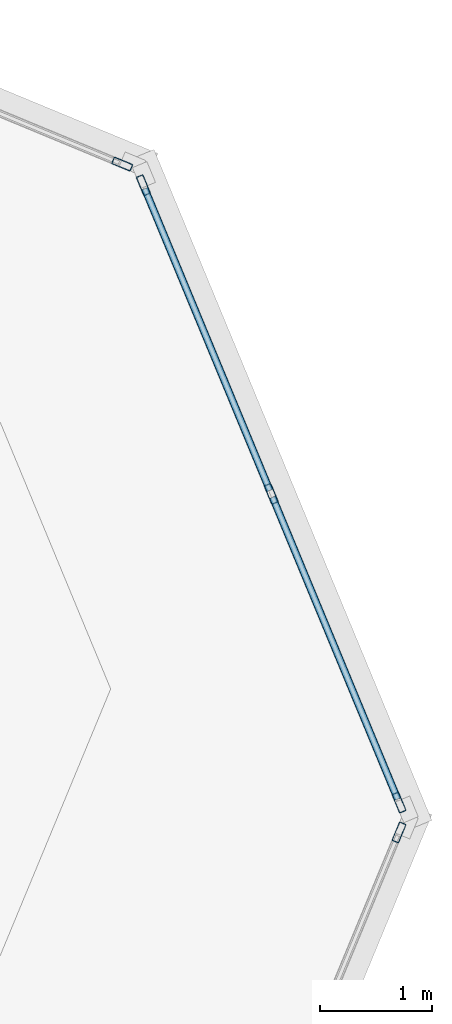
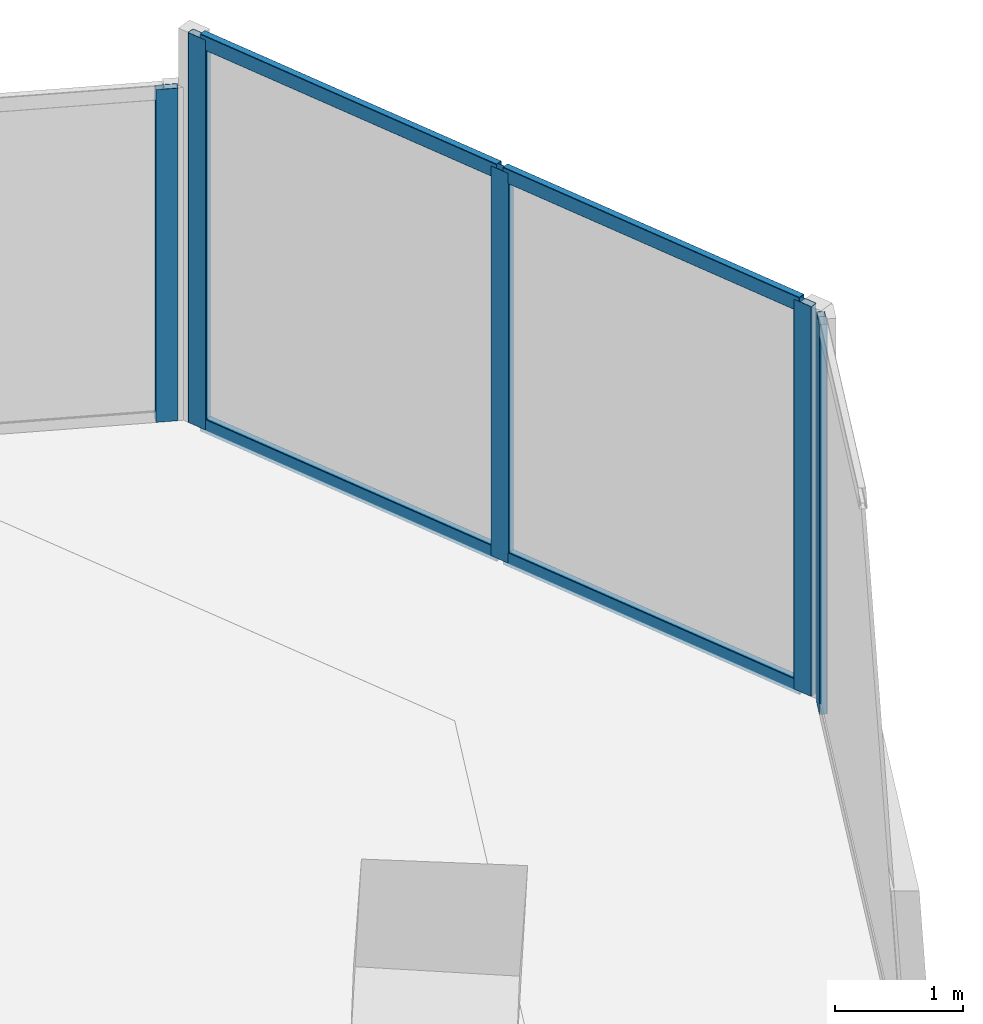
# One storey, part 9 of 22: 9 members, 3 elements without a shape of their own.
"""IFC4 building model written with IfcOpenShell, lengths in metres."""

from ifc_helpers import new_model, si_unit, direction, frame, origin, origin_2d, place, context, subcontext, project, spatial, hollow_rectangle, extrude, source, transform, mapped, material, material_profile, profile_set, type_object, element, aggregate, save


model = new_model("IFC4")

# Units and contexts
model_context = context("Model", 3, precision=1e-05, world=origin(), true_north=direction((0.0, 1.0)))
body_context = subcontext(model_context, "Body", "Model", "MODEL_VIEW")
ifc_project = project(units=[si_unit("LENGTHUNIT", "METRE"), si_unit("AREAUNIT", "SQUARE_METRE"), si_unit("VOLUMEUNIT", "CUBIC_METRE"), si_unit("PLANEANGLEUNIT", "RADIAN"), si_unit("MASSUNIT", "GRAM", prefix="KILO")], contexts=[model_context])

# Site, building, storey
site_placement = place(None, origin())
site = spatial("IfcSite", under=ifc_project, at=site_placement, CompositionType="ELEMENT")
building_placement = place(site_placement, origin())
building = spatial("IfcBuilding", under=site, at=building_placement, Name="Torre Montelarca", CompositionType="ELEMENT")
storey_placement = place(building_placement, frame((0.0, 0.0, 149.800048828125)))
storey = spatial("IfcBuildingStorey", under=building, at=storey_placement, Name="L33", CompositionType="ELEMENT", Elevation=149.800048828125)

# Curtain wall, members
ifc_material_1 = material(Name="Insulated low-E laminated glass", Category="glass")
curtain_wall_type = type_object("IfcCurtainWallType", Name="CW-SYS-Z2", PredefinedType="USERDEFINED", material=ifc_material_1)
curtain_wall_1_placement = place(storey_placement, origin())
curtain_wall_1 = element("IfcCurtainWall", 1, at=curtain_wall_1_placement, inside=storey, type_object=curtain_wall_type, Name="L33 Curtain Wall Run CW-T3-L33-E07-B1", ObjectType="UNITISED GLAZING", PredefinedType="USERDEFINED")
ifc_material_2 = material(Name="Anodised aluminium AA 6063-T6", Category="aluminium")
ifc_material_profile_1 = material_profile(ifc_material_2, hollow_rectangle(XDim=0.06494140625, YDim=0.139892578125, WallThickness=0.00390625, InnerFilletRadius=0.00390625, OuterFilletRadius=0.008056640625, at=origin_2d()), Name="ALU65X140X4", Category="aluminium")
ifc_profile_set_1 = profile_set([ifc_material_profile_1], Name="Anodised aluminium AA 6063-T6")
member_type_1 = type_object("IfcMemberType", Name="CWT-ALU140", PredefinedType="USERDEFINED", material=ifc_profile_set_1)
shared_shape_1 = source(origin(), body_context, "Body", "SweptSolid", [
    extrude(hollow_rectangle(XDim=0.06494140625, YDim=0.139892578125, WallThickness=0.00390625, InnerFilletRadius=0.00390625, OuterFilletRadius=0.008056640625, at=origin_2d()), origin(), (0.0, 0.0, 1.0), 2.918701171875),
])
member_1_placement = place(storey_placement, frame((53.854736328125, 31.33935546875, 0.032470703125), z_axis=(-0.382612831859, 0.923908773038, 0.0), x_axis=(-0.923908773038, -0.382612831859, 0.0)))
member_1 = element("IfcMember", 2, at=member_1_placement, type_object=member_type_1, Name="CW transom 1.1", ObjectType="TRANSOM", PredefinedType="USERDEFINED", context=body_context, shape_type="MappedRepresentation", body=[
    mapped(shared_shape_1, transform((0.0, 0.0, 0.0), scale=1.0)),
])
member_2_placement = place(storey_placement, frame((53.854736328125, 31.33935546875, 3.6875), z_axis=(-0.382612831859, 0.923908773038, 0.0), x_axis=(-0.923908773038, -0.382612831859, 0.0)))
member_2 = element("IfcMember", 3, at=member_2_placement, type_object=member_type_1, Name="CW transom 1.2", ObjectType="TRANSOM", PredefinedType="USERDEFINED", context=body_context, shape_type="MappedRepresentation", body=[
    mapped(shared_shape_1, transform((0.0, 0.0, 0.0), scale=1.0)),
])
shared_shape_2 = source(origin(), body_context, "Body", "SweptSolid", [
    extrude(hollow_rectangle(XDim=0.06494140625, YDim=0.139892578125, WallThickness=0.00390625, InnerFilletRadius=0.00390625, OuterFilletRadius=0.008056640625, at=origin_2d()), origin(), (0.0, 0.0, 1.0), 2.91845703125),
])
member_3_placement = place(storey_placement, frame((52.713134765625, 34.095947265625, 0.032470703125), z_axis=(-0.382713808028, 0.923866949915, 0.0), x_axis=(-0.923866949915, -0.382713808028, 0.0)))
member_3 = element("IfcMember", 4, at=member_3_placement, type_object=member_type_1, Name="CW transom 2.1", ObjectType="TRANSOM", PredefinedType="USERDEFINED", context=body_context, shape_type="MappedRepresentation", body=[
    mapped(shared_shape_2, transform((0.0, 0.0, 0.0), scale=1.0)),
])
member_4_placement = place(storey_placement, frame((52.713134765625, 34.095947265625, 3.6875), z_axis=(-0.382713808028, 0.923866949915, 0.0), x_axis=(-0.923866949915, -0.382713808028, 0.0)))
member_4 = element("IfcMember", 5, at=member_4_placement, type_object=member_type_1, Name="CW transom 2.2", ObjectType="TRANSOM", PredefinedType="USERDEFINED", context=body_context, shape_type="MappedRepresentation", body=[
    mapped(shared_shape_2, transform((0.0, 0.0, 0.0), scale=1.0)),
])

# Curtain wall, member
curtain_wall_2_placement = place(storey_placement, origin())
curtain_wall_2 = element("IfcCurtainWall", 6, at=curtain_wall_2_placement, inside=storey, type_object=curtain_wall_type, Name="L33 Curtain Wall Run CW-T3-L33-E06-B1", ObjectType="UNITISED GLAZING", PredefinedType="USERDEFINED")
ifc_material_profile_2 = material_profile(ifc_material_2, hollow_rectangle(XDim=0.06494140625, YDim=0.179931640625, WallThickness=0.00390625, InnerFilletRadius=0.00390625, OuterFilletRadius=0.008056640625, at=origin_2d()), Name="ALU65X180X4", Category="aluminium")
ifc_profile_set_2 = profile_set([ifc_material_profile_2], Name="Anodised aluminium AA 6063-T6")
member_type_2 = type_object("IfcMemberType", Name="CWM-ALU180", PredefinedType="MULLION", material=ifc_profile_set_2)
shared_shape_3 = source(origin(), body_context, "Body", "SweptSolid", [
    extrude(hollow_rectangle(XDim=0.06494140625, YDim=0.179931640625, WallThickness=0.00390625, InnerFilletRadius=0.00390625, OuterFilletRadius=0.008056640625, at=origin_2d()), origin(), (0.0, 0.0, 1.0), 3.719970703125),
])
member_5_placement = place(storey_placement, frame((53.8671875, 31.042236328125, 0.0), z_axis=(0.0, 0.0, 1.0), x_axis=(-0.923881379508, 0.38267897329, 0.0)))
member_5 = element("IfcMember", 7, at=member_5_placement, type_object=member_type_2, Name="CW mullion 3", PredefinedType="MULLION", context=body_context, shape_type="MappedRepresentation", body=[
    mapped(shared_shape_3, transform((0.0, 0.0, 0.0), scale=1.0)),
])
aggregate(curtain_wall_2, [member_5])

# Member
member_6_placement = place(storey_placement, frame((53.8671875, 31.309326171875, 0.0), z_axis=(0.0, 0.0, 1.0), x_axis=(-0.923886107621, -0.38266755826, 0.0)))
member_6 = element("IfcMember", 8, at=member_6_placement, type_object=member_type_2, Name="CW mullion 1", PredefinedType="MULLION", context=body_context, shape_type="MappedRepresentation", body=[
    mapped(shared_shape_3, transform((0.0, 0.0, 0.0), scale=1.0)),
])

member_7_placement = place(storey_placement, frame((52.7255859375, 34.06591796875, 0.0), z_axis=(0.0, 0.0, 1.0), x_axis=(-0.923886107621, -0.38266755826, 0.0)))
member_7 = element("IfcMember", 9, at=member_7_placement, type_object=member_type_2, Name="CW mullion 2", PredefinedType="MULLION", context=body_context, shape_type="MappedRepresentation", body=[
    mapped(shared_shape_3, transform((0.0, 0.0, 0.0), scale=1.0)),
])

member_8_placement = place(storey_placement, frame((51.583740234375, 36.822265625, 0.0), z_axis=(0.0, 0.0, 1.0), x_axis=(-0.923886107621, -0.38266755826, 0.0)))
member_8 = element("IfcMember", 10, at=member_8_placement, type_object=member_type_2, Name="CW mullion 3", PredefinedType="MULLION", context=body_context, shape_type="MappedRepresentation", body=[
    mapped(shared_shape_3, transform((0.0, 0.0, 0.0), scale=1.0)),
])

aggregate(curtain_wall_1, [member_6, member_7, member_8, member_1, member_2, member_3, member_4])

# Curtain wall, member
curtain_wall_3_placement = place(storey_placement, origin())
curtain_wall_3 = element("IfcCurtainWall", 11, at=curtain_wall_3_placement, inside=storey, type_object=curtain_wall_type, Name="L33 Curtain Wall Run CW-T3-L33-E08-B1", ObjectType="UNITISED GLAZING", PredefinedType="USERDEFINED")
shared_shape_4 = source(origin(), body_context, "Body", "SweptSolid", [
    extrude(hollow_rectangle(XDim=0.06494140625, YDim=0.179931640625, WallThickness=0.00390625, InnerFilletRadius=0.00390625, OuterFilletRadius=0.008056640625, at=origin_2d()), origin(), (0.0, 0.0, 1.0), 3.175048828125),
])
member_9_placement = place(storey_placement, frame((51.39501953125, 37.01123046875, 0.0), z_axis=(0.0, 0.0, 1.0), x_axis=(-0.382686042427, -0.923878451384, 0.0)))
member_9 = element("IfcMember", 12, at=member_9_placement, type_object=member_type_2, Name="CW mullion 1", PredefinedType="MULLION", context=body_context, shape_type="MappedRepresentation", body=[
    mapped(shared_shape_4, transform((0.0, 0.0, 0.0), scale=1.0)),
])
aggregate(curtain_wall_3, [member_9])

save(model, "model.ifc")
